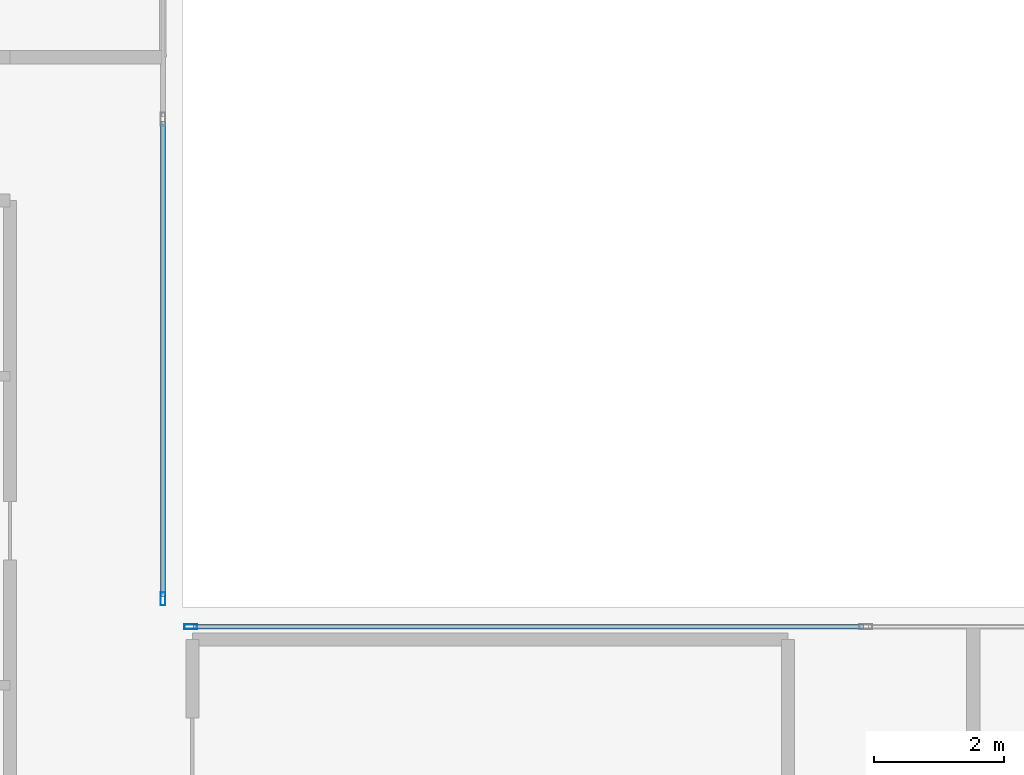
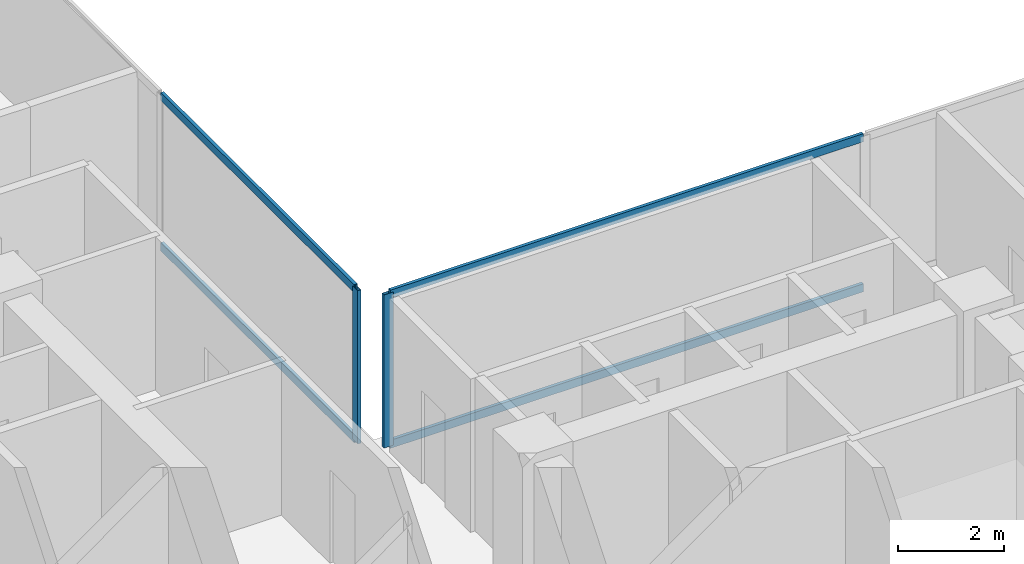
# One storey, part 8 of 24: 6 members, 2 elements without a shape of their own.
"""IFC4 building model written with IfcOpenShell, lengths in metres."""

import ifcopenshell
import ifcopenshell.guid

model = None  # the IFC model being written
_history = None  # IfcOwnerHistory: only IFC2X3 demands one
_inside = {}  # id of a spatial element -> (the spatial element, [elements in it])
_under = {}  # id of a project, library or spatial element -> (it, [spatial elements below it])
_declared = {}  # id of a project -> (the project, [libraries it declares])
_typed = {}  # id of a type object -> (the type object, [elements of that type])
_made_of = {}  # id of a material, layer set ... -> (it, [elements and type objects made of it])


def new_model(schema):
    """Start an empty IFC model of exactly this schema.

    Asked for "IFC4X3", IfcOpenShell would pick the latest addendum, in which some entities
    have other attributes; the version numbers below select the first issue.
    IFC2X3 requires an IfcOwnerHistory on every rooted entity: one is made here for all.
    """
    global model, _history
    if schema == "IFC4X3":
        model = ifcopenshell.file(schema_version=(4, 3, 0, 0))
    else:
        model = ifcopenshell.file(schema=schema)
    _inside.clear()
    _under.clear()
    _declared.clear()
    _typed.clear()
    _made_of.clear()
    _history = None
    if model.schema == "IFC2X3":
        org = make("IfcOrganization", Name="unknown")
        user = make(
            "IfcPersonAndOrganization",
            ThePerson=make("IfcPerson", FamilyName="unknown"),
            TheOrganization=org,
        )
        app = make(
            "IfcApplication",
            ApplicationDeveloper=org,
            Version="unknown",
            ApplicationFullName="unknown",
            ApplicationIdentifier="unknown",
        )
        _history = make(
            "IfcOwnerHistory",
            OwningUser=user,
            OwningApplication=app,
            ChangeAction="ADDED",
            CreationDate=0,
        )
    return model


def make(cls, **values):
    """One entity of the class cls with the attributes given. An attribute that is None is left unset."""
    return model.create_entity(
        cls, **{name: value for name, value in values.items() if value is not None}
    )


def rooted(cls, **values):
    """An entity with a GlobalId (a new one), such as an element, a storey or a relation."""
    return make(cls, GlobalId=ifcopenshell.guid.new(), OwnerHistory=_history, **values)


def si_unit(unit_type, name, prefix=None):
    """IfcSIUnit, for example si_unit("LENGTHUNIT", "METRE", prefix="MILLI")."""
    return make("IfcSIUnit", UnitType=unit_type, Prefix=prefix, Name=name)


def assignment(units):
    """IfcUnitAssignment: the units of a project."""
    return None if units is None else make("IfcUnitAssignment", Units=units)


def point(xyz):
    """IfcCartesianPoint."""
    return None if xyz is None else make("IfcCartesianPoint", Coordinates=xyz)


def direction(xyz):
    """IfcDirection."""
    return None if xyz is None else make("IfcDirection", DirectionRatios=xyz)


def frame(location, z_axis=None, x_axis=None):
    """IfcAxis2Placement3D, a coordinate frame: its origin and axes. An axis left out is left unset."""
    return make(
        "IfcAxis2Placement3D",
        Location=point(location),
        Axis=direction(z_axis),
        RefDirection=direction(x_axis),
    )


def frame_2d(location, x_axis=None):
    """IfcAxis2Placement2D, a coordinate frame in the plane: its origin and x axis."""
    return make(
        "IfcAxis2Placement2D", Location=point(location), RefDirection=direction(x_axis)
    )


def origin():
    """The frame at (0, 0, 0) with its axes left unset."""
    return frame((0.0, 0.0, 0.0))


def origin_2d():
    """The frame at (0, 0) in the plane with its x axis left unset."""
    return frame_2d((0.0, 0.0))


def place(relative_to, where):
    """IfcLocalPlacement: puts the frame where relative to a parent placement (None: the world)."""
    return make(
        "IfcLocalPlacement", PlacementRelTo=relative_to, RelativePlacement=where
    )


def context(
    kind, dimensions, precision=None, world=None, true_north=None, identifier=None
):
    """IfcGeometricRepresentationContext, for example the 3D "Model" context."""
    return make(
        "IfcGeometricRepresentationContext",
        ContextIdentifier=identifier,
        ContextType=kind,
        CoordinateSpaceDimension=dimensions,
        Precision=precision,
        WorldCoordinateSystem=world,
        TrueNorth=true_north,
    )


def subcontext(parent, identifier, kind, view, scale=None):
    """IfcGeometricRepresentationSubContext, for example "Body" below "Model"."""
    return make(
        "IfcGeometricRepresentationSubContext",
        ContextIdentifier=identifier,
        ContextType=kind,
        ParentContext=parent,
        TargetScale=scale,
        TargetView=view,
    )


def project(units=None, contexts=None):
    """IfcProject with its units and contexts."""
    return rooted(
        "IfcProject",
        Name="project",
        RepresentationContexts=contexts,
        UnitsInContext=assignment(units),
    )


def spatial(cls, under=None, at=None, **own):
    """A site, building, storey or space (cls), placed at a placement, below another one or the project."""
    s = rooted(cls, ObjectPlacement=at, **own)
    if under is not None:
        _under.setdefault(under.id(), (under, []))[1].append(s)
    return s


def profile(cls, at=None, kind="AREA", **sizes):
    """A parametric profile (cls). Its sizes go by their IFC names, for example OverallWidth=200.0."""
    return make(cls, ProfileType=kind, Position=at, **sizes)


def hollow_rectangle(**sizes):
    """IfcRectangleHollowProfileDef."""
    return profile("IfcRectangleHollowProfileDef", **sizes)


def extrude(swept, where, along, depth):
    """IfcExtrudedAreaSolid: the profile swept, set in the frame where, extruded along a direction by depth."""
    return make(
        "IfcExtrudedAreaSolid",
        SweptArea=swept,
        Position=where,
        ExtrudedDirection=direction(along),
        Depth=depth,
    )


def shape(context_of_items, identifier, shape_type, items):
    """IfcShapeRepresentation: the items that make up one representation, for example the "Body"."""
    return make(
        "IfcShapeRepresentation",
        ContextOfItems=context_of_items,
        RepresentationIdentifier=identifier,
        RepresentationType=shape_type,
        Items=items,
    )


def material(Name=None, Category=None):
    """IfcMaterial."""
    return make("IfcMaterial", Name=Name, Category=Category)


def layer(
    of_material, thickness, ventilated=None, Name=None, Category=None, Priority=None
):
    """IfcMaterialLayer: one layer of a wall or slab, of a material (None: an air gap)."""
    return make(
        "IfcMaterialLayer",
        Material=of_material,
        LayerThickness=thickness,
        IsVentilated=ventilated,
        Name=Name,
        Category=Category,
        Priority=Priority,
    )


def layer_set(layers, Name=None):
    """IfcMaterialLayerSet."""
    return make("IfcMaterialLayerSet", MaterialLayers=layers, LayerSetName=Name)


def material_profile(
    of_material, cross_section, Name=None, Category=None, Priority=None
):
    """IfcMaterialProfile: a cross section and its material."""
    return make(
        "IfcMaterialProfile",
        Name=Name,
        Material=of_material,
        Profile=cross_section,
        Priority=Priority,
        Category=Category,
    )


def profile_set(profiles, Name=None, composite=None):
    """IfcMaterialProfileSet."""
    return make(
        "IfcMaterialProfileSet",
        Name=Name,
        MaterialProfiles=profiles,
        CompositeProfile=composite,
    )


def made_of(thing, what):
    """Note that an element or type object is made of a material, layer set ...; save() writes the relation."""
    if what is not None:
        _made_of.setdefault(what.id(), (what, []))[1].append(thing)
    return thing


def type_object(cls, material=None, **own):
    """A type object (cls), such as IfcWallType, which elements share."""
    return made_of(rooted(cls, **own), material)


def element(
    cls,
    number,
    at=None,
    inside=None,
    cuts=None,
    type_object=None,
    material=None,
    context=None,
    identifier="Body",
    shape_type=None,
    held_by="IfcProductDefinitionShape",
    body=None,
    shapes=None,
    **own,
):
    """One element of the class cls, such as IfcWall. Its Tag is "e" and its number.

    at: its placement. inside: the storey or other place that contains it. cuts: it is an
    opening in that element (IfcRelVoidsElement). A single representation is given by context,
    identifier, shape_type and body (its items); several are given by shapes. held_by: the class
    of the entity that holds the representations. save() writes the other relations.
    """
    e = rooted(cls, Tag="e%d" % number, ObjectPlacement=at, **own)
    if body is not None:
        shapes = [shape(context, identifier, shape_type, body)]
    if shapes is not None:
        e.Representation = make(held_by, Representations=shapes)
    if inside is not None:
        _inside.setdefault(inside.id(), (inside, []))[1].append(e)
    if cuts is not None:
        rooted(
            "IfcRelVoidsElement", RelatingBuildingElement=cuts, RelatedOpeningElement=e
        )
    if type_object is not None:
        _typed.setdefault(type_object.id(), (type_object, []))[1].append(e)
    return made_of(e, material)


def aggregate(whole, parts):
    """IfcRelAggregates: a whole, such as a stair, and the parts it consists of."""
    return rooted("IfcRelAggregates", RelatingObject=whole, RelatedObjects=parts)


def save(model, path):
    """Write the relations noted so far, then the file.

    IfcRelAggregates (storeys below a building ...), IfcRelContainedInSpatialStructure (elements
    in a storey), IfcRelDefinesByType, IfcRelAssociatesMaterial and IfcRelDeclares: one each for
    every whole, place, type object, material and project.
    """
    for whole, parts in _under.values():
        aggregate(whole, parts)
    for where, things in _inside.values():
        rooted(
            "IfcRelContainedInSpatialStructure",
            RelatedElements=things,
            RelatingStructure=where,
        )
    for kind, things in _typed.values():
        rooted("IfcRelDefinesByType", RelatedObjects=things, RelatingType=kind)
    for what, things in _made_of.values():
        rooted("IfcRelAssociatesMaterial", RelatedObjects=things, RelatingMaterial=what)
    for by, libraries in _declared.values():
        rooted("IfcRelDeclares", RelatingContext=by, RelatedDefinitions=libraries)
    model.write(path)


model = new_model("IFC4")

# Units and contexts
model_context = context("Model", 3, precision=1e-05, world=origin(), true_north=direction((0.0, 1.0)))
body_context = subcontext(model_context, "Body", "Model", "MODEL_VIEW")
ifc_project = project(units=[si_unit("LENGTHUNIT", "METRE"), si_unit("AREAUNIT", "SQUARE_METRE"), si_unit("VOLUMEUNIT", "CUBIC_METRE"), si_unit("PLANEANGLEUNIT", "RADIAN"), si_unit("MASSUNIT", "GRAM", prefix="KILO"), si_unit("THERMODYNAMICTEMPERATUREUNIT", "KELVIN"), si_unit("POWERUNIT", "WATT")], contexts=[model_context])

# Site, building, storey
site_placement = place(None, origin())
site = spatial("IfcSite", under=ifc_project, at=site_placement, CompositionType="ELEMENT")
building_placement = place(site_placement, origin())
building = spatial("IfcBuilding", under=site, at=building_placement, Name="Svarakhadi Broadcast Tower", CompositionType="ELEMENT")
storey_placement = place(building_placement, frame((0.0, 0.0, 141.89990234375)))
storey = spatial("IfcBuildingStorey", under=building, at=storey_placement, Name="L34", CompositionType="ELEMENT", Elevation=141.89990234375)

# Curtain wall, member
ifc_material = material(Name="Anodised Bronze Aluminium AA 6063-T6", Category="aluminium")
ifc_layer = layer(ifc_material, 0.199951171875)
ifc_layer_set = layer_set([ifc_layer], Name="Anodised Bronze Aluminium AA 6063-T6")
curtain_wall_type = type_object("IfcCurtainWallType", Name="CW_Sys_03", PredefinedType="NOTDEFINED", material=ifc_layer_set)
curtain_wall_1_placement = place(storey_placement, origin())
curtain_wall_1 = element("IfcCurtainWall", 1, at=curtain_wall_1_placement, inside=storey, type_object=curtain_wall_type, Name="L34 Unitised Facade Curtain Wall 09", PredefinedType="NOTDEFINED")
ifc_material_profile_1 = material_profile(ifc_material, hollow_rectangle(XDim=0.074951171875, YDim=0.199951171875, WallThickness=0.005615234375, at=origin_2d()), Name="ALU MULLION 200x75x6")
ifc_profile_set_1 = profile_set([ifc_material_profile_1], Name="Anodised Bronze Aluminium AA 6063-T6")
member_type_1 = type_object("IfcMemberType", Name="CW_Sys_03_Mul", PredefinedType="MULLION", material=ifc_profile_set_1)
member_1_placement = place(storey_placement, frame((23.699951171875, 24.12744140625, 0.0), z_axis=(0.0, 0.0, 1.0), x_axis=(1.0, 0.0, 0.0)))
member_1 = element("IfcMember", 2, at=member_1_placement, type_object=member_type_1, Name="CW-03 mullion 3", PredefinedType="MULLION", context=body_context, shape_type="SweptSolid", body=[
    extrude(hollow_rectangle(XDim=0.074951171875, YDim=0.199951171875, WallThickness=0.005615234375, at=origin_2d()), origin(), (0.0, 0.0, 1.0), 3.525146484375),
])

curtain_wall_2_placement = place(storey_placement, origin())
curtain_wall_2 = element("IfcCurtainWall", 3, at=curtain_wall_2_placement, inside=storey, type_object=curtain_wall_type, Name="L34 Unitised Facade Curtain Wall 10", PredefinedType="NOTDEFINED")
member_2_placement = place(storey_placement, frame((24.12744140625, 23.699951171875, 0.0), z_axis=(0.0, 0.0, 1.0), x_axis=(0.0, 1.0, 0.0)))
member_2 = element("IfcMember", 4, at=member_2_placement, type_object=member_type_1, Name="CW-03 mullion 1", PredefinedType="MULLION", context=body_context, shape_type="SweptSolid", body=[
    extrude(hollow_rectangle(XDim=0.074951171875, YDim=0.199951171875, WallThickness=0.005615234375, at=origin_2d()), origin(), (0.0, 0.0, 1.0), 3.525146484375),
])

# Member
ifc_material_profile_2 = material_profile(ifc_material, hollow_rectangle(XDim=0.070068359375, YDim=0.18505859375, WallThickness=0.0048828125, at=origin_2d()), Name="ALU TRANSOM 185x70x5")
ifc_profile_set_2 = profile_set([ifc_material_profile_2], Name="Anodised Bronze Aluminium AA 6063-T6")
member_type_2 = type_object("IfcMemberType", Name="CW_Sys_03_Trn", PredefinedType="USERDEFINED", material=ifc_profile_set_2)
member_3_placement = place(storey_placement, frame((23.699951171875, 31.46240234375, 0.03515625), z_axis=(0.0, -1.0, 0.0), x_axis=(1.0, 0.0, 0.0)))
member_3 = element("IfcMember", 5, at=member_3_placement, type_object=member_type_2, Name="CW-03 transom 2.1", ObjectType="TRANSOM", PredefinedType="USERDEFINED", context=body_context, shape_type="SweptSolid", body=[
    extrude(hollow_rectangle(XDim=0.070068359375, YDim=0.18505859375, WallThickness=0.0048828125, at=origin_2d()), origin(), (0.0, 0.0, 1.0), 7.29736328125),
])

member_4_placement = place(storey_placement, frame((23.699951171875, 31.46240234375, 3.489990234375), z_axis=(0.0, -1.0, 0.0), x_axis=(1.0, 0.0, 0.0)))
member_4 = element("IfcMember", 6, at=member_4_placement, type_object=member_type_2, Name="CW-03 transom 2.2", ObjectType="TRANSOM", PredefinedType="USERDEFINED", context=body_context, shape_type="SweptSolid", body=[
    extrude(hollow_rectangle(XDim=0.070068359375, YDim=0.18505859375, WallThickness=0.0048828125, at=origin_2d()), origin(), (0.0, 0.0, 1.0), 7.29736328125),
])

aggregate(curtain_wall_1, [member_1, member_3, member_4])

member_5_placement = place(storey_placement, frame((24.1650390625, 23.699951171875, 0.03515625), z_axis=(1.0, 0.0, 0.0), x_axis=(0.0, 1.0, 0.0)))
member_5 = element("IfcMember", 7, at=member_5_placement, type_object=member_type_2, Name="CW-03 transom 1.1", ObjectType="TRANSOM", PredefinedType="USERDEFINED", context=body_context, shape_type="SweptSolid", body=[
    extrude(hollow_rectangle(XDim=0.070068359375, YDim=0.18505859375, WallThickness=0.0048828125, at=origin_2d()), origin(), (0.0, 0.0, 1.0), 10.29736328125),
])

member_6_placement = place(storey_placement, frame((24.1650390625, 23.699951171875, 3.489990234375), z_axis=(1.0, 0.0, 0.0), x_axis=(0.0, 1.0, 0.0)))
member_6 = element("IfcMember", 8, at=member_6_placement, type_object=member_type_2, Name="CW-03 transom 1.2", ObjectType="TRANSOM", PredefinedType="USERDEFINED", context=body_context, shape_type="SweptSolid", body=[
    extrude(hollow_rectangle(XDim=0.070068359375, YDim=0.18505859375, WallThickness=0.0048828125, at=origin_2d()), origin(), (0.0, 0.0, 1.0), 10.29736328125),
])

aggregate(curtain_wall_2, [member_2, member_5, member_6])

save(model, "model.ifc")
